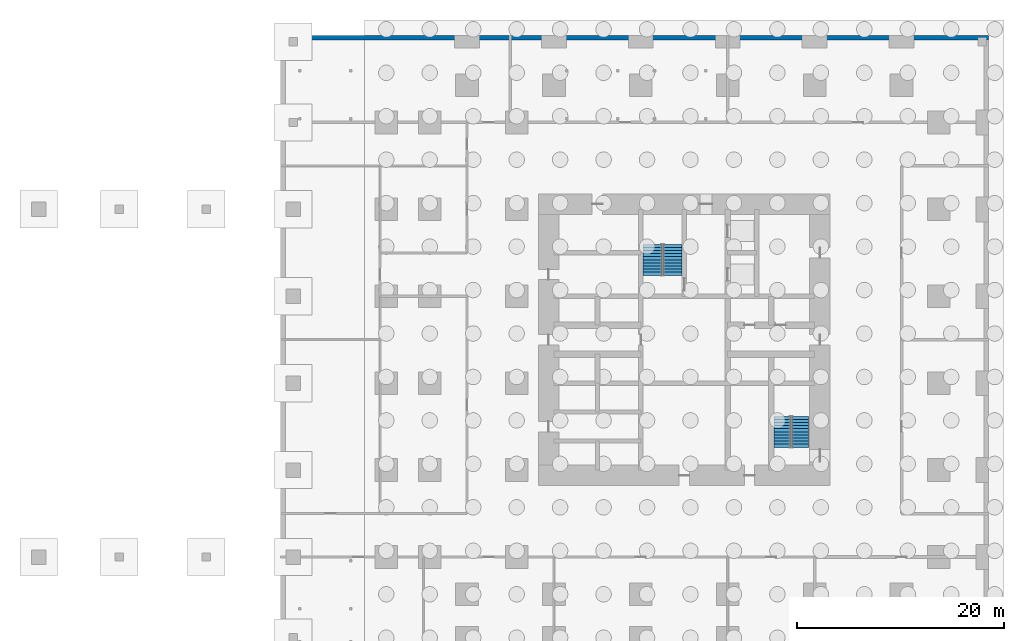
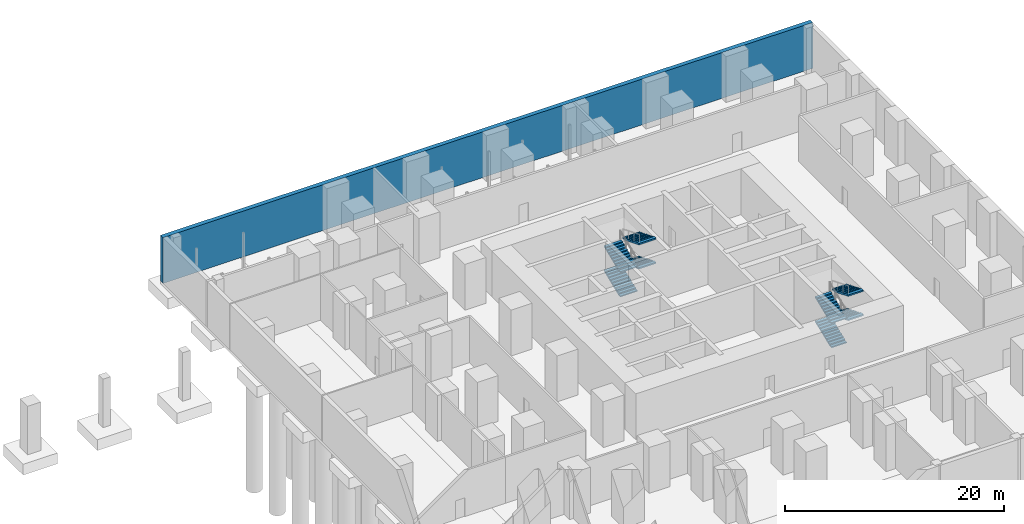
# One storey, part 16 of 18: 8 stair flights, 1 wall, 2 elements without a shape of their own.
"""IFC4 building model written with IfcOpenShell, lengths in metres."""

from ifc_helpers import new_model, si_unit, direction, frame, frame_2d, origin, place, context, subcontext, project, spatial, polyline, rectangle, outline, extrude, material, layer, layer_set, type_object, element, aggregate, save


model = new_model("IFC4")

# Units and contexts
model_context = context("Model", 3, precision=1e-05, world=origin(), true_north=direction((0.0, 1.0)))
body_context = subcontext(model_context, "Body", "Model", "MODEL_VIEW")
ifc_project = project(units=[si_unit("LENGTHUNIT", "METRE"), si_unit("AREAUNIT", "SQUARE_METRE"), si_unit("VOLUMEUNIT", "CUBIC_METRE"), si_unit("PLANEANGLEUNIT", "RADIAN"), si_unit("MASSUNIT", "GRAM", prefix="KILO")], contexts=[model_context])

# Site, building, storey
site_placement = place(None, origin())
site = spatial("IfcSite", under=ifc_project, at=site_placement, CompositionType="ELEMENT")
building_placement = place(site_placement, origin())
building = spatial("IfcBuilding", under=site, at=building_placement, Name="Dunama Terrace Hotel", CompositionType="ELEMENT")
storey_placement = place(building_placement, frame((0.0, 0.0, -5.39990234375)))
storey = spatial("IfcBuildingStorey", under=building, at=storey_placement, Name="B1", CompositionType="ELEMENT", Elevation=-5.39990234375)

# Wall
ifc_material_1 = material(Name="Concrete C40/50", Category="concrete")
ifc_layer = layer(ifc_material_1, 0.449951171875)
ifc_layer_set = layer_set([ifc_layer], Name="Basement retaining wall 450")
wall_type = type_object("IfcWallType", Name="Basement retaining wall 450", PredefinedType="SOLIDWALL", material=ifc_layer_set)
wall_placement = place(storey_placement, frame((58.800048828125, 58.574951171875, 0.0), z_axis=(0.0, 0.0, 1.0), x_axis=(-1.0, 0.0, 0.0)))
element("IfcWall", 1, at=wall_placement, inside=storey, type_object=wall_type, Name="Basement retaining wall", PredefinedType="SOLIDWALL", context=body_context, shape_type="SweptSolid", body=[
    extrude(rectangle(XDim=68.400146484375, YDim=0.449951171875, at=frame_2d((34.2001953125, 0.0))), origin(), (0.0, 0.0, 1.0), 5.099853515625),
])

# Stair, stair flights
ifc_material_2 = material(Name="Concrete C40/50", Category="concrete")
stair_type_1 = type_object("IfcStairType", Name="Stair ST1-5400-1800", PredefinedType="HALF_TURN_STAIR", material=ifc_material_2)
stair_1_placement = place(storey_placement, origin())
stair_1 = element("IfcStair", 2, at=stair_1_placement, inside=storey, type_object=stair_type_1, Name="Stair ST1 B1", PredefinedType="HALF_TURN_STAIR")
ifc_material_3 = material(Name="Concrete C40/50", Category="concrete")
stair_flight_type_1 = type_object("IfcStairFlightType", Name="Stair flight ST1-5400-1800", PredefinedType="STRAIGHT", material=ifc_material_3)
stair_flight_1_placement = place(storey_placement, frame((26.324951171875, 35.625, 0.0), z_axis=(0.0, 0.0, 1.0), x_axis=(0.0, 1.0, 0.0)))
stair_flight_1 = element("IfcStairFlight", 3, at=stair_flight_1_placement, type_object=stair_flight_type_1, Name="ST1 flight 1", NumberOfRisers=11, NumberOfTreads=10, PredefinedType="STRAIGHT", RiserHeight=0.122727273, TreadLength=0.3, context=body_context, shape_type="SweptSolid", body=[
    extrude(outline(polyline([(0.0, 0.0), (0.0, 0.122802734375), (0.300048828125, 0.122802734375), (0.300048828125, 0.245361328125), (0.60009765625, 0.245361328125), (0.60009765625, 0.3681640625), (0.89990234375, 0.3681640625), (0.89990234375, 0.490966796875), (1.199951171875, 0.490966796875), (1.199951171875, 0.613525390625), (1.5, 0.613525390625), (1.5, 0.736328125), (1.800048828125, 0.736328125), (1.800048828125, 0.859130859375), (2.10009765625, 0.859130859375), (2.10009765625, 0.98193359375), (2.39990234375, 0.98193359375), (2.39990234375, 1.1044921875), (2.699951171875, 1.1044921875), (2.699951171875, 1.227294921875), (3.0, 1.227294921875), (3.0, 1.35009765625), (3.0, 1.0654296875), (0.39599609375, 0.0), (0.0, 0.0)])), frame((0.0, 0.89990234375, 0.0), z_axis=(0.0, -1.0, 0.0), x_axis=(1.0, 0.0, 0.0)), (0.0, 0.0, 1.0), 1.800048828125),
])
stair_flight_2_placement = place(storey_placement, frame((28.27490234375, 38.625, 1.349853515625), z_axis=(0.0, 0.0, 1.0), x_axis=(0.0, -1.0, 0.0)))
stair_flight_2 = element("IfcStairFlight", 4, at=stair_flight_2_placement, type_object=stair_flight_type_1, Name="ST1 flight 2", NumberOfRisers=11, NumberOfTreads=10, PredefinedType="STRAIGHT", RiserHeight=0.122727273, TreadLength=0.3, context=body_context, shape_type="SweptSolid", body=[
    extrude(outline(polyline([(0.0, 0.0), (0.0, 0.122802734375), (0.300048828125, 0.122802734375), (0.300048828125, 0.245361328125), (0.60009765625, 0.245361328125), (0.60009765625, 0.3681640625), (0.89990234375, 0.3681640625), (0.89990234375, 0.490966796875), (1.199951171875, 0.490966796875), (1.199951171875, 0.613525390625), (1.5, 0.613525390625), (1.5, 0.736328125), (1.800048828125, 0.736328125), (1.800048828125, 0.859130859375), (2.10009765625, 0.859130859375), (2.10009765625, 0.98193359375), (2.39990234375, 0.98193359375), (2.39990234375, 1.1044921875), (2.699951171875, 1.1044921875), (2.699951171875, 1.227294921875), (3.0, 1.227294921875), (3.0, 1.35009765625), (3.0, 1.0654296875), (0.39599609375, 0.0), (0.0, 0.0)])), frame((0.0, 0.89990234375, 0.0), z_axis=(0.0, -1.0, 0.0), x_axis=(1.0, 0.0, 0.0)), (0.0, 0.0, 1.0), 1.800048828125),
])
stair_flight_3_placement = place(storey_placement, frame((26.324951171875, 35.625, 2.699951171875), z_axis=(0.0, 0.0, 1.0), x_axis=(0.0, 1.0, 0.0)))
stair_flight_3 = element("IfcStairFlight", 5, at=stair_flight_3_placement, type_object=stair_flight_type_1, Name="ST1 flight 3", NumberOfRisers=11, NumberOfTreads=10, PredefinedType="STRAIGHT", RiserHeight=0.122727273, TreadLength=0.3, context=body_context, shape_type="SweptSolid", body=[
    extrude(outline(polyline([(0.0, 0.0), (0.0, 0.122802734375), (0.300048828125, 0.122802734375), (0.300048828125, 0.245361328125), (0.60009765625, 0.245361328125), (0.60009765625, 0.3681640625), (0.89990234375, 0.3681640625), (0.89990234375, 0.490966796875), (1.199951171875, 0.490966796875), (1.199951171875, 0.613525390625), (1.5, 0.613525390625), (1.5, 0.736328125), (1.800048828125, 0.736328125), (1.800048828125, 0.859130859375), (2.10009765625, 0.859130859375), (2.10009765625, 0.98193359375), (2.39990234375, 0.98193359375), (2.39990234375, 1.1044921875), (2.699951171875, 1.1044921875), (2.699951171875, 1.227294921875), (3.0, 1.227294921875), (3.0, 1.35009765625), (3.0, 1.0654296875), (0.39599609375, 0.0), (0.0, 0.0)])), frame((0.0, 0.89990234375, 0.0), z_axis=(0.0, -1.0, 0.0), x_axis=(1.0, 0.0, 0.0)), (0.0, 0.0, 1.0), 1.800048828125),
])
stair_flight_4_placement = place(storey_placement, frame((28.27490234375, 38.625, 4.0498046875), z_axis=(0.0, 0.0, 1.0), x_axis=(0.0, -1.0, 0.0)))
stair_flight_4 = element("IfcStairFlight", 6, at=stair_flight_4_placement, type_object=stair_flight_type_1, Name="ST1 flight 4", NumberOfRisers=11, NumberOfTreads=10, PredefinedType="STRAIGHT", RiserHeight=0.122727273, TreadLength=0.3, context=body_context, shape_type="SweptSolid", body=[
    extrude(outline(polyline([(0.0, 0.0), (0.0, 0.122802734375), (0.300048828125, 0.122802734375), (0.300048828125, 0.245361328125), (0.60009765625, 0.245361328125), (0.60009765625, 0.3681640625), (0.89990234375, 0.3681640625), (0.89990234375, 0.490966796875), (1.199951171875, 0.490966796875), (1.199951171875, 0.613525390625), (1.5, 0.613525390625), (1.5, 0.736328125), (1.800048828125, 0.736328125), (1.800048828125, 0.859130859375), (2.10009765625, 0.859130859375), (2.10009765625, 0.98193359375), (2.39990234375, 0.98193359375), (2.39990234375, 1.1044921875), (2.699951171875, 1.1044921875), (2.699951171875, 1.227294921875), (3.0, 1.227294921875), (3.0, 1.35009765625), (3.0, 1.0654296875), (0.39599609375, 0.0), (0.0, 0.0)])), frame((0.0, 0.89990234375, 0.0), z_axis=(0.0, -1.0, 0.0), x_axis=(1.0, 0.0, 0.0)), (0.0, 0.0, 1.0), 1.800048828125),
])
aggregate(stair_1, [stair_flight_1, stair_flight_2, stair_flight_3, stair_flight_4])

ifc_material_4 = material(Name="Concrete C40/50", Category="concrete")
stair_type_2 = type_object("IfcStairType", Name="Stair ST2-5400-1600", PredefinedType="HALF_TURN_STAIR", material=ifc_material_4)
stair_2_placement = place(storey_placement, origin())
stair_2 = element("IfcStair", 7, at=stair_2_placement, inside=storey, type_object=stair_type_2, Name="Stair ST2 B1", PredefinedType="HALF_TURN_STAIR")
ifc_material_5 = material(Name="Concrete C40/50", Category="concrete")
stair_flight_type_2 = type_object("IfcStairFlightType", Name="Stair flight ST2-5400-1600", PredefinedType="STRAIGHT", material=ifc_material_5)
stair_flight_5_placement = place(storey_placement, frame((38.85009765625, 19.0, 0.0), z_axis=(0.0, 0.0, 1.0), x_axis=(0.0, 1.0, 0.0)))
stair_flight_5 = element("IfcStairFlight", 8, at=stair_flight_5_placement, type_object=stair_flight_type_2, Name="ST2 flight 1", NumberOfRisers=11, NumberOfTreads=10, PredefinedType="STRAIGHT", RiserHeight=0.122727273, TreadLength=0.3, context=body_context, shape_type="SweptSolid", body=[
    extrude(outline(polyline([(0.0, 0.0), (0.0, 0.122802734375), (0.300048828125, 0.122802734375), (0.300048828125, 0.245361328125), (0.60009765625, 0.245361328125), (0.60009765625, 0.3681640625), (0.89990234375, 0.3681640625), (0.89990234375, 0.490966796875), (1.199951171875, 0.490966796875), (1.199951171875, 0.613525390625), (1.5, 0.613525390625), (1.5, 0.736328125), (1.800048828125, 0.736328125), (1.800048828125, 0.859130859375), (2.10009765625, 0.859130859375), (2.10009765625, 0.98193359375), (2.39990234375, 0.98193359375), (2.39990234375, 1.1044921875), (2.699951171875, 1.1044921875), (2.699951171875, 1.227294921875), (3.0, 1.227294921875), (3.0, 1.35009765625), (3.0, 1.0654296875), (0.39599609375, 0.0), (0.0, 0.0)])), frame((0.0, 0.800048828125, 0.0), z_axis=(0.0, -1.0, 0.0), x_axis=(1.0, 0.0, 0.0)), (0.0, 0.0, 1.0), 1.60009765625),
])
stair_flight_6_placement = place(storey_placement, frame((40.60009765625, 22.0, 1.349853515625), z_axis=(0.0, 0.0, 1.0), x_axis=(0.0, -1.0, 0.0)))
stair_flight_6 = element("IfcStairFlight", 9, at=stair_flight_6_placement, type_object=stair_flight_type_2, Name="ST2 flight 2", NumberOfRisers=11, NumberOfTreads=10, PredefinedType="STRAIGHT", RiserHeight=0.122727273, TreadLength=0.3, context=body_context, shape_type="SweptSolid", body=[
    extrude(outline(polyline([(0.0, 0.0), (0.0, 0.122802734375), (0.300048828125, 0.122802734375), (0.300048828125, 0.245361328125), (0.60009765625, 0.245361328125), (0.60009765625, 0.3681640625), (0.89990234375, 0.3681640625), (0.89990234375, 0.490966796875), (1.199951171875, 0.490966796875), (1.199951171875, 0.613525390625), (1.5, 0.613525390625), (1.5, 0.736328125), (1.800048828125, 0.736328125), (1.800048828125, 0.859130859375), (2.10009765625, 0.859130859375), (2.10009765625, 0.98193359375), (2.39990234375, 0.98193359375), (2.39990234375, 1.1044921875), (2.699951171875, 1.1044921875), (2.699951171875, 1.227294921875), (3.0, 1.227294921875), (3.0, 1.35009765625), (3.0, 1.0654296875), (0.39599609375, 0.0), (0.0, 0.0)])), frame((0.0, 0.800048828125, 0.0), z_axis=(0.0, -1.0, 0.0), x_axis=(1.0, 0.0, 0.0)), (0.0, 0.0, 1.0), 1.60009765625),
])
stair_flight_7_placement = place(storey_placement, frame((38.85009765625, 19.0, 2.699951171875), z_axis=(0.0, 0.0, 1.0), x_axis=(0.0, 1.0, 0.0)))
stair_flight_7 = element("IfcStairFlight", 10, at=stair_flight_7_placement, type_object=stair_flight_type_2, Name="ST2 flight 3", NumberOfRisers=11, NumberOfTreads=10, PredefinedType="STRAIGHT", RiserHeight=0.122727273, TreadLength=0.3, context=body_context, shape_type="SweptSolid", body=[
    extrude(outline(polyline([(0.0, 0.0), (0.0, 0.122802734375), (0.300048828125, 0.122802734375), (0.300048828125, 0.245361328125), (0.60009765625, 0.245361328125), (0.60009765625, 0.3681640625), (0.89990234375, 0.3681640625), (0.89990234375, 0.490966796875), (1.199951171875, 0.490966796875), (1.199951171875, 0.613525390625), (1.5, 0.613525390625), (1.5, 0.736328125), (1.800048828125, 0.736328125), (1.800048828125, 0.859130859375), (2.10009765625, 0.859130859375), (2.10009765625, 0.98193359375), (2.39990234375, 0.98193359375), (2.39990234375, 1.1044921875), (2.699951171875, 1.1044921875), (2.699951171875, 1.227294921875), (3.0, 1.227294921875), (3.0, 1.35009765625), (3.0, 1.0654296875), (0.39599609375, 0.0), (0.0, 0.0)])), frame((0.0, 0.800048828125, 0.0), z_axis=(0.0, -1.0, 0.0), x_axis=(1.0, 0.0, 0.0)), (0.0, 0.0, 1.0), 1.60009765625),
])
stair_flight_8_placement = place(storey_placement, frame((40.60009765625, 22.0, 4.0498046875), z_axis=(0.0, 0.0, 1.0), x_axis=(0.0, -1.0, 0.0)))
stair_flight_8 = element("IfcStairFlight", 11, at=stair_flight_8_placement, type_object=stair_flight_type_2, Name="ST2 flight 4", NumberOfRisers=11, NumberOfTreads=10, PredefinedType="STRAIGHT", RiserHeight=0.122727273, TreadLength=0.3, context=body_context, shape_type="SweptSolid", body=[
    extrude(outline(polyline([(0.0, 0.0), (0.0, 0.122802734375), (0.300048828125, 0.122802734375), (0.300048828125, 0.245361328125), (0.60009765625, 0.245361328125), (0.60009765625, 0.3681640625), (0.89990234375, 0.3681640625), (0.89990234375, 0.490966796875), (1.199951171875, 0.490966796875), (1.199951171875, 0.613525390625), (1.5, 0.613525390625), (1.5, 0.736328125), (1.800048828125, 0.736328125), (1.800048828125, 0.859130859375), (2.10009765625, 0.859130859375), (2.10009765625, 0.98193359375), (2.39990234375, 0.98193359375), (2.39990234375, 1.1044921875), (2.699951171875, 1.1044921875), (2.699951171875, 1.227294921875), (3.0, 1.227294921875), (3.0, 1.35009765625), (3.0, 1.0654296875), (0.39599609375, 0.0), (0.0, 0.0)])), frame((0.0, 0.800048828125, 0.0), z_axis=(0.0, -1.0, 0.0), x_axis=(1.0, 0.0, 0.0)), (0.0, 0.0, 1.0), 1.60009765625),
])
aggregate(stair_2, [stair_flight_5, stair_flight_6, stair_flight_7, stair_flight_8])

save(model, "model.ifc")
